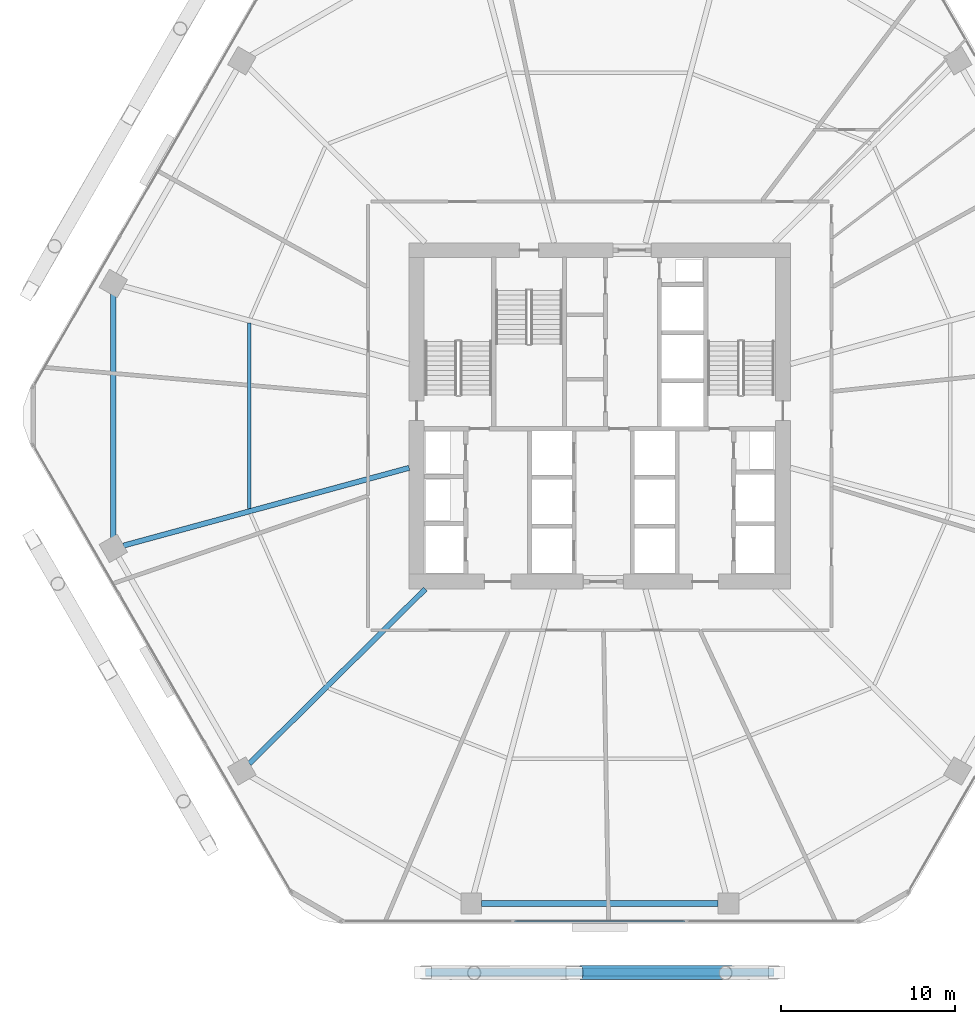
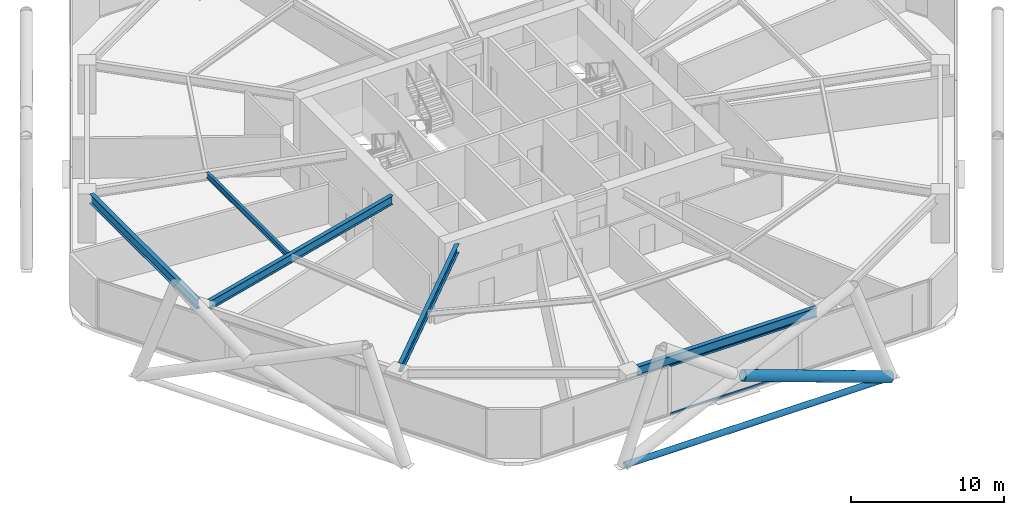
# One storey, part 6 of 30: 5 beams, 4 members, 1 element without a shape of its own.
"""IFC4 building model written with IfcOpenShell, lengths in metres."""

from ifc_helpers import new_model, si_unit, direction, frame, origin, origin_2d, place, context, subcontext, project, spatial, hollow_rectangle, hollow_circle, i_section, extrude, material, material_profile, profile_set, type_object, element, aggregate, save


model = new_model("IFC4")

# Units and contexts
model_context = context("Model", 3, precision=1e-05, world=origin(), true_north=direction((0.0, 1.0)))
body_context = subcontext(model_context, "Body", "Model", "MODEL_VIEW")
ifc_project = project(units=[si_unit("LENGTHUNIT", "METRE"), si_unit("AREAUNIT", "SQUARE_METRE"), si_unit("VOLUMEUNIT", "CUBIC_METRE"), si_unit("PLANEANGLEUNIT", "RADIAN"), si_unit("MASSUNIT", "GRAM", prefix="KILO")], contexts=[model_context])

# Site, building, storey
site_placement = place(None, origin())
site = spatial("IfcSite", under=ifc_project, at=site_placement, CompositionType="ELEMENT")
building_placement = place(site_placement, origin())
building = spatial("IfcBuilding", under=site, at=building_placement, Name="Zuhravey Tower", CompositionType="ELEMENT")
storey_placement = place(building_placement, frame((0.0, 0.0, 58.199951171875)))
storey = spatial("IfcBuildingStorey", under=building, at=storey_placement, Name="L14", CompositionType="ELEMENT", Elevation=58.199951171875)

# Curtain wall, members
ifc_material_1 = material(Name="Thermally broken anodised aluminium", Category="aluminium")
curtain_wall_type = type_object("IfcCurtainWallType", Name="School Low-E Unitised Curtain Wall CW1", PredefinedType="NOTDEFINED", material=ifc_material_1)
curtain_wall_placement = place(storey_placement, origin())
curtain_wall = element("IfcCurtainWall", 1, at=curtain_wall_placement, inside=storey, type_object=curtain_wall_type, Name="L14 CW1 CW-L14-F5-1", PredefinedType="NOTDEFINED")
ifc_material_2 = material(Name="Anodised aluminium", Category="aluminium")
ifc_material_profile_1 = material_profile(ifc_material_2, hollow_rectangle(XDim=0.090087890625, YDim=0.14990234375, WallThickness=0.0048828125, at=origin_2d()), Name="ALU-RHS-90x150x5")
ifc_profile_set_1 = profile_set([ifc_material_profile_1], Name="Anodised aluminium")
member_type_1 = type_object("IfcMemberType", Name="Curtain-Wall Transom 90x150", PredefinedType="USERDEFINED", material=ifc_profile_set_1)
member_1_placement = place(storey_placement, frame((40.88818359375, 3.04150390625, 0.045166015625), z_axis=(-1.0, 0.0, 0.0), x_axis=(0.0, -1.0, 0.0)))
member_1 = element("IfcMember", 2, at=member_1_placement, type_object=member_type_1, Name="CW1 transom 2.1", ObjectType="TRANSOM", PredefinedType="USERDEFINED", context=body_context, shape_type="SweptSolid", body=[
    extrude(hollow_rectangle(XDim=0.090087890625, YDim=0.14990234375, WallThickness=0.0048828125, at=origin_2d()), origin(), (0.0, 0.0, 1.0), 9.7763671875),
])
member_2_placement = place(storey_placement, frame((40.88818359375, 3.04150390625, 3.875), z_axis=(-1.0, 0.0, 0.0), x_axis=(0.0, -1.0, 0.0)))
member_2 = element("IfcMember", 3, at=member_2_placement, type_object=member_type_1, Name="CW1 transom 2.2", ObjectType="TRANSOM", PredefinedType="USERDEFINED", context=body_context, shape_type="SweptSolid", body=[
    extrude(hollow_rectangle(XDim=0.090087890625, YDim=0.14990234375, WallThickness=0.0048828125, at=origin_2d()), origin(), (0.0, 0.0, 1.0), 9.7763671875),
])
aggregate(curtain_wall, [member_1, member_2])

# Members
ifc_material_3 = material(Name="Steel SM355", Category="steel")
ifc_material_profile_2 = material_profile(ifc_material_3, hollow_circle(Radius=0.228515625, WallThickness=0.02197265625, at=origin_2d()), Name="CHS-457.2x22")
ifc_profile_set_2 = profile_set([ifc_material_profile_2], Name="Steel SM355")
member_type_2 = type_object("IfcMemberType", Name="Exoskeleton Ring Tie CHS457x22", PredefinedType="CHORD", material=ifc_profile_set_2)
member_3_placement = place(storey_placement, frame((26.003173828125, 0.1015625, -0.493896484375), z_axis=(1.0, 0.0, 0.0), x_axis=(0.0, 1.0, 0.0)))
element("IfcMember", 4, at=member_3_placement, inside=storey, type_object=member_type_2, Name="L14 Exoskeleton Face 5 Tie EXR1", PredefinedType="CHORD", context=body_context, shape_type="SweptSolid", body=[
    extrude(hollow_circle(Radius=0.228515625, WallThickness=0.02197265625, at=origin_2d()), origin(), (0.0, 0.0, 1.0), 19.99365234375),
])
ifc_material_4 = material(Name="Steel SM460", Category="steel")
ifc_material_profile_3 = material_profile(ifc_material_4, hollow_circle(Radius=0.406494140625, WallThickness=0.035888671875, at=origin_2d()), Name="CHS-812.8x36")
ifc_profile_set_3 = profile_set([ifc_material_profile_3], Name="Steel SM460")
member_type_3 = type_object("IfcMemberType", Name="Exoskeleton Zone 1 Diagrid CHS813x36", PredefinedType="BRACE", material=ifc_profile_set_3)
member_4_placement = place(storey_placement, frame((46.08935546875, 0.101318359375, -0.476806640625), z_axis=(-0.940345089755, -0.001210674296, 0.340219997122), x_axis=(0.001287477657, -0.9999991712, 0.0)))
element("IfcMember", 5, at=member_4_placement, inside=storey, type_object=member_type_3, Name="L14 Face 5 Split Diagrid Brace 3A", PredefinedType="BRACE", context=body_context, shape_type="SweptSolid", body=[
    extrude(hollow_circle(Radius=0.406494140625, WallThickness=0.035888671875, at=origin_2d()), origin(), (0.0, 0.0, 1.0), 11.897705078125),
])

# Beams
ifc_material_profile_4 = material_profile(ifc_material_3, i_section(OverallWidth=0.320068359375, OverallDepth=0.75, WebThickness=0.013916015625, FlangeThickness=0.02490234375, at=origin_2d()), Name="H-750x320x14x25")
ifc_profile_set_4 = profile_set([ifc_material_profile_4], Name="Steel SM355")
beam_type_1 = type_object("IfcBeamType", Name="Perimeter Ring Beam H750x320", PredefinedType="BEAM", material=ifc_profile_set_4)
beam_1_placement = place(storey_placement, frame((8.11083984375, 38.988525390625, 3.545166015625), z_axis=(0.0, -1.0, 0.0), x_axis=(1.0, 0.0, 0.0)))
element("IfcBeam", 6, at=beam_1_placement, inside=storey, type_object=beam_type_1, Name="L14 PB1 BM-L14-PB-06", PredefinedType="BEAM", context=body_context, shape_type="SweptSolid", body=[
    extrude(i_section(OverallWidth=0.320068359375, OverallDepth=0.75, WebThickness=0.013916015625, FlangeThickness=0.02490234375, at=origin_2d()), origin(), (0.0, 0.0, 1.0), 13.97705078125),
])
beam_2_placement = place(storey_placement, frame((29.23291015625, 4.051513671875, 3.545166015625), z_axis=(1.0, 0.0, 0.0), x_axis=(0.0, 1.0, 0.0)))
element("IfcBeam", 7, at=beam_2_placement, inside=storey, type_object=beam_type_1, Name="L14 PB1 BM-L14-PB-09", PredefinedType="BEAM", context=body_context, shape_type="SweptSolid", body=[
    extrude(i_section(OverallWidth=0.320068359375, OverallDepth=0.75, WebThickness=0.013916015625, FlangeThickness=0.02490234375, at=origin_2d()), origin(), (0.0, 0.0, 1.0), 13.5341796875),
])
ifc_material_profile_5 = material_profile(ifc_material_3, i_section(OverallWidth=0.300048828125, OverallDepth=0.699951171875, WebThickness=0.012939453125, FlangeThickness=0.02392578125, at=origin_2d()), Name="H-700x300x13x24")
ifc_profile_set_5 = profile_set([ifc_material_profile_5], Name="Steel SM355")
beam_type_2 = type_object("IfcBeamType", Name="Radial Primary Girder H700x300", PredefinedType="BEAM", material=ifc_profile_set_5)
beam_3_placement = place(storey_placement, frame((25.072021484375, 29.025390625, 3.570068359375), z_axis=(-0.964892480455, -0.26264520015, 0.0), x_axis=(0.26264520015, -0.964892480455, 0.0)))
element("IfcBeam", 8, at=beam_3_placement, inside=storey, type_object=beam_type_2, Name="L14 RG1 BM-L14-RAD-07", PredefinedType="BEAM", context=body_context, shape_type="SweptSolid", body=[
    extrude(i_section(OverallWidth=0.300048828125, OverallDepth=0.699951171875, WebThickness=0.012939453125, FlangeThickness=0.02392578125, at=origin_2d()), origin(), (0.0, 0.0, 1.0), 16.975341796875),
])
beam_4_placement = place(storey_placement, frame((25.992919921875, 22.072021484375, 3.570068359375), z_axis=(-0.709902823282, -0.704299639, 0.0), x_axis=(0.704299639, -0.709902823282, 0.0)))
element("IfcBeam", 9, at=beam_4_placement, inside=storey, type_object=beam_type_2, Name="L14 RG1 BM-L14-RAD-08", PredefinedType="BEAM", context=body_context, shape_type="SweptSolid", body=[
    extrude(i_section(OverallWidth=0.300048828125, OverallDepth=0.699951171875, WebThickness=0.012939453125, FlangeThickness=0.02392578125, at=origin_2d()), origin(), (0.0, 0.0, 1.0), 14.204345703125),
])
ifc_material_profile_6 = material_profile(ifc_material_3, i_section(OverallWidth=0.199951171875, OverallDepth=0.449951171875, WebThickness=0.009033203125, FlangeThickness=0.013916015625, at=origin_2d()), Name="H-450x200x9x14")
ifc_profile_set_6 = profile_set([ifc_material_profile_6], Name="Steel SM355")
beam_type_3 = type_object("IfcBeamType", Name="Secondary Floor Joist H450x200", PredefinedType="JOIST", material=ifc_profile_set_6)
beam_5_placement = place(storey_placement, frame((15.9130859375, 37.313720703125, 3.695068359375), z_axis=(0.0, -1.0, 0.0), x_axis=(1.0, 0.0, 0.0)))
element("IfcBeam", 10, at=beam_5_placement, inside=storey, type_object=beam_type_3, Name="L14 SJ1 BM-L14-SJ-06-1", PredefinedType="JOIST", context=body_context, shape_type="SweptSolid", body=[
    extrude(i_section(OverallWidth=0.199951171875, OverallDepth=0.449951171875, WebThickness=0.009033203125, FlangeThickness=0.013916015625, at=origin_2d()), origin(), (0.0, 0.0, 1.0), 10.62744140625),
])

save(model, "model.ifc")
